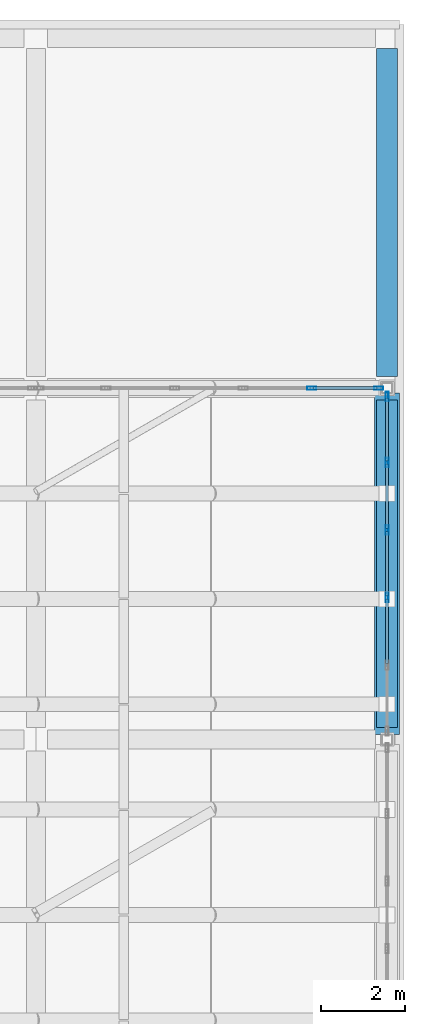
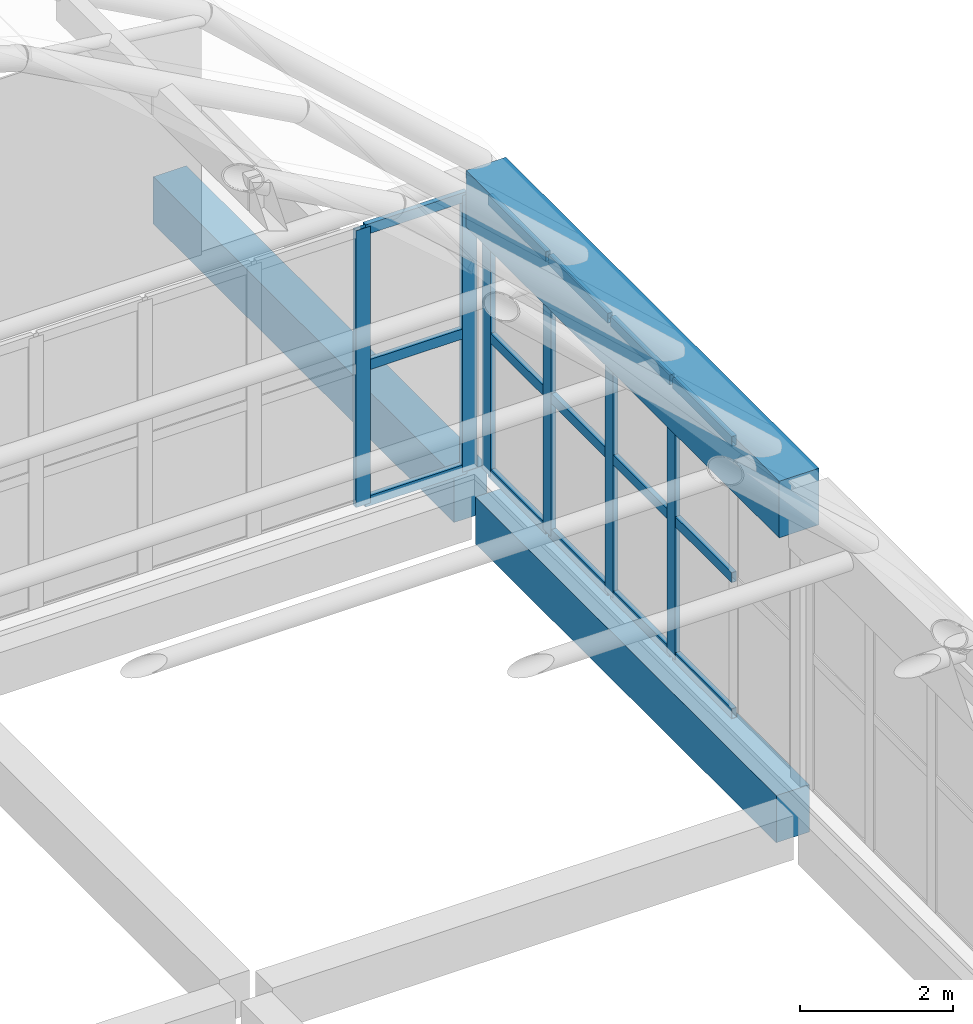
# One storey, part 21 of 26: 21 members, 3 beams, 2 elements without a shape of their own.
"""IFC4 building model written with IfcOpenShell, lengths in metres."""

from ifc_helpers import new_model, si_unit, direction, frame, origin, origin_2d, place, context, subcontext, project, spatial, rectangle, hollow_rectangle, extrude, material, layer, layer_set, material_profile, profile_set, type_object, element, aggregate, save


model = new_model("IFC4")

# Units and contexts
model_context = context("Model", 3, precision=1e-05, world=origin(), true_north=direction((0.0, 1.0)))
body_context = subcontext(model_context, "Body", "Model", "MODEL_VIEW")
ifc_project = project(units=[si_unit("LENGTHUNIT", "METRE"), si_unit("AREAUNIT", "SQUARE_METRE"), si_unit("VOLUMEUNIT", "CUBIC_METRE"), si_unit("PLANEANGLEUNIT", "RADIAN"), si_unit("MASSUNIT", "GRAM", prefix="KILO")], contexts=[model_context])

# Site, building, storey
site_placement = place(None, origin())
site = spatial("IfcSite", under=ifc_project, at=site_placement, CompositionType="ELEMENT")
building_placement = place(site_placement, origin())
building = spatial("IfcBuilding", under=site, at=building_placement, Name="Xazarin Passage Department Store", CompositionType="ELEMENT")
storey_placement = place(building_placement, frame((0.0, 0.0, 36.89990234375)))
storey = spatial("IfcBuildingStorey", under=building, at=storey_placement, Name="RF", CompositionType="ELEMENT", Elevation=36.89990234375)

# Curtain wall, members
ifc_material_1 = material(Name="Bronze anodised aluminium", Category="aluminium")
ifc_layer = layer(ifc_material_1, 0.199951171875)
ifc_layer_set = layer_set([ifc_layer], Name="Bronze anodised aluminium")
curtain_wall_type = type_object("IfcCurtainWallType", Name="ARC-CW-VIT2", PredefinedType="NOTDEFINED", material=ifc_layer_set)
curtain_wall_1_placement = place(storey_placement, origin())
curtain_wall_1 = element("IfcCurtainWall", 1, at=curtain_wall_1_placement, inside=storey, type_object=curtain_wall_type, Name="RF V1 Atrium Lantern Curtain Wall 06", PredefinedType="NOTDEFINED")
ifc_material_profile_1 = material_profile(ifc_material_1, hollow_rectangle(XDim=0.074951171875, YDim=0.219970703125, WallThickness=0.0048828125, at=origin_2d()), Name="ALU 75x220")
ifc_profile_set_1 = profile_set([ifc_material_profile_1], Name="Bronze anodised aluminium")
member_type_1 = type_object("IfcMemberType", Name="ARC-CWM-75x220", PredefinedType="MULLION", material=ifc_profile_set_1)
member_1_placement = place(storey_placement, frame((33.60009765625, 96.592041015625, 0.0), z_axis=(0.0, 0.0, 1.0), x_axis=(-1.0, 0.0, 0.0)))
member_1 = element("IfcMember", 2, at=member_1_placement, type_object=member_type_1, Name="CW2 mullion 3", PredefinedType="MULLION", context=body_context, shape_type="SweptSolid", body=[
    extrude(hollow_rectangle(XDim=0.074951171875, YDim=0.219970703125, WallThickness=0.0048828125, at=origin_2d()), origin(), (0.0, 0.0, 1.0), 4.404296875),
])
member_2_placement = place(storey_placement, frame((33.60009765625, 98.2080078125, 0.0), z_axis=(0.0, 0.0, 1.0), x_axis=(-1.0, 0.0, 0.0)))
member_2 = element("IfcMember", 3, at=member_2_placement, type_object=member_type_1, Name="CW2 mullion 4", PredefinedType="MULLION", context=body_context, shape_type="SweptSolid", body=[
    extrude(hollow_rectangle(XDim=0.074951171875, YDim=0.219970703125, WallThickness=0.0048828125, at=origin_2d()), origin(), (0.0, 0.0, 1.0), 4.404296875),
])
member_3_placement = place(storey_placement, frame((33.60009765625, 99.823974609375, 0.0), z_axis=(0.0, 0.0, 1.0), x_axis=(-1.0, 0.0, 0.0)))
member_3 = element("IfcMember", 4, at=member_3_placement, type_object=member_type_1, Name="CW2 mullion 5", PredefinedType="MULLION", context=body_context, shape_type="SweptSolid", body=[
    extrude(hollow_rectangle(XDim=0.074951171875, YDim=0.219970703125, WallThickness=0.0048828125, at=origin_2d()), origin(), (0.0, 0.0, 1.0), 4.404296875),
])
member_4_placement = place(storey_placement, frame((33.60009765625, 101.402587890625, 0.0), z_axis=(0.0, 0.0, 1.0), x_axis=(-1.0, 0.0, 0.0)))
member_4 = element("IfcMember", 5, at=member_4_placement, type_object=member_type_1, Name="CW2 mullion 6", PredefinedType="MULLION", context=body_context, shape_type="SweptSolid", body=[
    extrude(hollow_rectangle(XDim=0.074951171875, YDim=0.219970703125, WallThickness=0.0048828125, at=origin_2d()), origin(), (0.0, 0.0, 1.0), 4.404296875),
])

curtain_wall_2_placement = place(storey_placement, origin())
curtain_wall_2 = element("IfcCurtainWall", 6, at=curtain_wall_2_placement, inside=storey, type_object=curtain_wall_type, Name="RF V1 Atrium Lantern Curtain Wall 14", PredefinedType="NOTDEFINED")
member_5_placement = place(storey_placement, frame((31.800048828125, 101.60009765625, 0.0), z_axis=(0.0, 0.0, 1.0), x_axis=(0.0, 1.0, 0.0)))
member_5 = element("IfcMember", 7, at=member_5_placement, type_object=member_type_1, Name="CW2 mullion 5", PredefinedType="MULLION", context=body_context, shape_type="SweptSolid", body=[
    extrude(hollow_rectangle(XDim=0.074951171875, YDim=0.219970703125, WallThickness=0.0048828125, at=origin_2d()), origin(), (0.0, 0.0, 1.0), 4.404296875),
])
member_6_placement = place(storey_placement, frame((33.402587890625, 101.60009765625, 0.0), z_axis=(0.0, 0.0, 1.0), x_axis=(0.0, 1.0, 0.0)))
member_6 = element("IfcMember", 8, at=member_6_placement, type_object=member_type_1, Name="CW2 mullion 6", PredefinedType="MULLION", context=body_context, shape_type="SweptSolid", body=[
    extrude(hollow_rectangle(XDim=0.074951171875, YDim=0.219970703125, WallThickness=0.0048828125, at=origin_2d()), origin(), (0.0, 0.0, 1.0), 4.404296875),
])

# Member
ifc_material_profile_2 = material_profile(ifc_material_1, hollow_rectangle(XDim=0.074951171875, YDim=0.159912109375, WallThickness=0.00439453125, at=origin_2d()), Name="ALU 75x160")
ifc_profile_set_2 = profile_set([ifc_material_profile_2], Name="Bronze anodised aluminium")
member_type_2 = type_object("IfcMemberType", Name="ARC-CWT-75x160", PredefinedType="USERDEFINED", material=ifc_profile_set_2)
member_7_placement = place(storey_placement, frame((33.60009765625, 95.013427734375, 0.03759765625), z_axis=(0.0, 1.0, 0.0), x_axis=(-1.0, 0.0, 0.0)))
member_7 = element("IfcMember", 9, at=member_7_placement, type_object=member_type_2, Name="CW2 transom 2.1", ObjectType="TRANSOM", PredefinedType="USERDEFINED", context=body_context, shape_type="SweptSolid", body=[
    extrude(hollow_rectangle(XDim=0.074951171875, YDim=0.159912109375, WallThickness=0.00439453125, at=origin_2d()), origin(), (0.0, 0.0, 1.0), 1.541015625),
])

member_8_placement = place(storey_placement, frame((33.60009765625, 95.013427734375, 2.2021484375), z_axis=(0.0, 1.0, 0.0), x_axis=(-1.0, 0.0, 0.0)))
member_8 = element("IfcMember", 10, at=member_8_placement, type_object=member_type_2, Name="CW2 transom 2.2", ObjectType="TRANSOM", PredefinedType="USERDEFINED", context=body_context, shape_type="SweptSolid", body=[
    extrude(hollow_rectangle(XDim=0.074951171875, YDim=0.159912109375, WallThickness=0.00439453125, at=origin_2d()), origin(), (0.0, 0.0, 1.0), 1.541015625),
])

member_9_placement = place(storey_placement, frame((33.60009765625, 95.013427734375, 4.36669921875), z_axis=(0.0, 1.0, 0.0), x_axis=(-1.0, 0.0, 0.0)))
member_9 = element("IfcMember", 11, at=member_9_placement, type_object=member_type_2, Name="CW2 transom 2.3", ObjectType="TRANSOM", PredefinedType="USERDEFINED", context=body_context, shape_type="SweptSolid", body=[
    extrude(hollow_rectangle(XDim=0.074951171875, YDim=0.159912109375, WallThickness=0.00439453125, at=origin_2d()), origin(), (0.0, 0.0, 1.0), 1.541015625),
])

member_10_placement = place(storey_placement, frame((33.60009765625, 96.62939453125, 0.03759765625), z_axis=(0.0, 1.0, 0.0), x_axis=(-1.0, 0.0, 0.0)))
member_10 = element("IfcMember", 12, at=member_10_placement, type_object=member_type_2, Name="CW2 transom 3.1", ObjectType="TRANSOM", PredefinedType="USERDEFINED", context=body_context, shape_type="SweptSolid", body=[
    extrude(hollow_rectangle(XDim=0.074951171875, YDim=0.159912109375, WallThickness=0.00439453125, at=origin_2d()), origin(), (0.0, 0.0, 1.0), 1.541015625),
])

member_11_placement = place(storey_placement, frame((33.60009765625, 96.62939453125, 2.2021484375), z_axis=(0.0, 1.0, 0.0), x_axis=(-1.0, 0.0, 0.0)))
member_11 = element("IfcMember", 13, at=member_11_placement, type_object=member_type_2, Name="CW2 transom 3.2", ObjectType="TRANSOM", PredefinedType="USERDEFINED", context=body_context, shape_type="SweptSolid", body=[
    extrude(hollow_rectangle(XDim=0.074951171875, YDim=0.159912109375, WallThickness=0.00439453125, at=origin_2d()), origin(), (0.0, 0.0, 1.0), 1.541015625),
])

member_12_placement = place(storey_placement, frame((33.60009765625, 96.62939453125, 4.36669921875), z_axis=(0.0, 1.0, 0.0), x_axis=(-1.0, 0.0, 0.0)))
member_12 = element("IfcMember", 14, at=member_12_placement, type_object=member_type_2, Name="CW2 transom 3.3", ObjectType="TRANSOM", PredefinedType="USERDEFINED", context=body_context, shape_type="SweptSolid", body=[
    extrude(hollow_rectangle(XDim=0.074951171875, YDim=0.159912109375, WallThickness=0.00439453125, at=origin_2d()), origin(), (0.0, 0.0, 1.0), 1.541015625),
])

member_13_placement = place(storey_placement, frame((33.60009765625, 98.24560546875, 0.03759765625), z_axis=(0.0, 1.0, 0.0), x_axis=(-1.0, 0.0, 0.0)))
member_13 = element("IfcMember", 15, at=member_13_placement, type_object=member_type_2, Name="CW2 transom 4.1", ObjectType="TRANSOM", PredefinedType="USERDEFINED", context=body_context, shape_type="SweptSolid", body=[
    extrude(hollow_rectangle(XDim=0.074951171875, YDim=0.159912109375, WallThickness=0.00439453125, at=origin_2d()), origin(), (0.0, 0.0, 1.0), 1.541015625),
])

member_14_placement = place(storey_placement, frame((33.60009765625, 98.24560546875, 2.2021484375), z_axis=(0.0, 1.0, 0.0), x_axis=(-1.0, 0.0, 0.0)))
member_14 = element("IfcMember", 16, at=member_14_placement, type_object=member_type_2, Name="CW2 transom 4.2", ObjectType="TRANSOM", PredefinedType="USERDEFINED", context=body_context, shape_type="SweptSolid", body=[
    extrude(hollow_rectangle(XDim=0.074951171875, YDim=0.159912109375, WallThickness=0.00439453125, at=origin_2d()), origin(), (0.0, 0.0, 1.0), 1.541015625),
])

member_15_placement = place(storey_placement, frame((33.60009765625, 98.24560546875, 4.36669921875), z_axis=(0.0, 1.0, 0.0), x_axis=(-1.0, 0.0, 0.0)))
member_15 = element("IfcMember", 17, at=member_15_placement, type_object=member_type_2, Name="CW2 transom 4.3", ObjectType="TRANSOM", PredefinedType="USERDEFINED", context=body_context, shape_type="SweptSolid", body=[
    extrude(hollow_rectangle(XDim=0.074951171875, YDim=0.159912109375, WallThickness=0.00439453125, at=origin_2d()), origin(), (0.0, 0.0, 1.0), 1.541015625),
])

member_16_placement = place(storey_placement, frame((33.60009765625, 99.861572265625, 0.03759765625), z_axis=(0.0, 1.0, 0.0), x_axis=(-1.0, 0.0, 0.0)))
member_16 = element("IfcMember", 18, at=member_16_placement, type_object=member_type_2, Name="CW2 transom 5.1", ObjectType="TRANSOM", PredefinedType="USERDEFINED", context=body_context, shape_type="SweptSolid", body=[
    extrude(hollow_rectangle(XDim=0.074951171875, YDim=0.159912109375, WallThickness=0.00439453125, at=origin_2d()), origin(), (0.0, 0.0, 1.0), 1.50341796875),
])

member_17_placement = place(storey_placement, frame((33.60009765625, 99.861572265625, 2.2021484375), z_axis=(0.0, 1.0, 0.0), x_axis=(-1.0, 0.0, 0.0)))
member_17 = element("IfcMember", 19, at=member_17_placement, type_object=member_type_2, Name="CW2 transom 5.2", ObjectType="TRANSOM", PredefinedType="USERDEFINED", context=body_context, shape_type="SweptSolid", body=[
    extrude(hollow_rectangle(XDim=0.074951171875, YDim=0.159912109375, WallThickness=0.00439453125, at=origin_2d()), origin(), (0.0, 0.0, 1.0), 1.50341796875),
])

member_18_placement = place(storey_placement, frame((33.60009765625, 99.861572265625, 4.36669921875), z_axis=(0.0, 1.0, 0.0), x_axis=(-1.0, 0.0, 0.0)))
member_18 = element("IfcMember", 20, at=member_18_placement, type_object=member_type_2, Name="CW2 transom 5.3", ObjectType="TRANSOM", PredefinedType="USERDEFINED", context=body_context, shape_type="SweptSolid", body=[
    extrude(hollow_rectangle(XDim=0.074951171875, YDim=0.159912109375, WallThickness=0.00439453125, at=origin_2d()), origin(), (0.0, 0.0, 1.0), 1.50341796875),
])

aggregate(curtain_wall_1, [member_1, member_2, member_3, member_4, member_7, member_8, member_9, member_10, member_11, member_12, member_13, member_14, member_15, member_16, member_17, member_18])

member_19_placement = place(storey_placement, frame((31.83740234375, 101.60009765625, 0.03759765625), z_axis=(1.0, 0.0, 0.0), x_axis=(0.0, 1.0, 0.0)))
member_19 = element("IfcMember", 21, at=member_19_placement, type_object=member_type_2, Name="CW2 transom 5.1", ObjectType="TRANSOM", PredefinedType="USERDEFINED", context=body_context, shape_type="SweptSolid", body=[
    extrude(hollow_rectangle(XDim=0.074951171875, YDim=0.159912109375, WallThickness=0.00439453125, at=origin_2d()), origin(), (0.0, 0.0, 1.0), 1.527587890625),
])

member_20_placement = place(storey_placement, frame((31.83740234375, 101.60009765625, 2.2021484375), z_axis=(1.0, 0.0, 0.0), x_axis=(0.0, 1.0, 0.0)))
member_20 = element("IfcMember", 22, at=member_20_placement, type_object=member_type_2, Name="CW2 transom 5.2", ObjectType="TRANSOM", PredefinedType="USERDEFINED", context=body_context, shape_type="SweptSolid", body=[
    extrude(hollow_rectangle(XDim=0.074951171875, YDim=0.159912109375, WallThickness=0.00439453125, at=origin_2d()), origin(), (0.0, 0.0, 1.0), 1.527587890625),
])

member_21_placement = place(storey_placement, frame((31.83740234375, 101.60009765625, 4.36669921875), z_axis=(1.0, 0.0, 0.0), x_axis=(0.0, 1.0, 0.0)))
member_21 = element("IfcMember", 23, at=member_21_placement, type_object=member_type_2, Name="CW2 transom 5.3", ObjectType="TRANSOM", PredefinedType="USERDEFINED", context=body_context, shape_type="SweptSolid", body=[
    extrude(hollow_rectangle(XDim=0.074951171875, YDim=0.159912109375, WallThickness=0.00439453125, at=origin_2d()), origin(), (0.0, 0.0, 1.0), 1.527587890625),
])

aggregate(curtain_wall_2, [member_5, member_6, member_19, member_20, member_21])

# Beams
ifc_material_2 = material(Name="Concrete C40/50", Category="concrete")
ifc_material_profile_3 = material_profile(ifc_material_2, rectangle(XDim=0.60009765625, YDim=0.89990234375, at=origin_2d()), Name="RC 600x900")
ifc_profile_set_3 = profile_set([ifc_material_profile_3], Name="Concrete C40/50")
beam_type_1 = type_object("IfcBeamType", Name="STR-BM-RG600x900", PredefinedType="BEAM", material=ifc_profile_set_3)
beam_placement = place(storey_placement, frame((33.60009765625, 93.320068359375, 4.404296875), z_axis=(0.0, 1.0, 0.0), x_axis=(-1.0, 0.0, 0.0)))
element("IfcBeam", 24, at=beam_placement, inside=storey, type_object=beam_type_1, Name="V1V Springing Ring Girder E-3", PredefinedType="BEAM", context=body_context, shape_type="SweptSolid", body=[
    extrude(rectangle(XDim=0.60009765625, YDim=0.89990234375, at=origin_2d()), origin(), (0.0, 0.0, 1.0), 8.159912109375),
])
ifc_material_3 = material(Name="Concrete C35/45", Category="concrete")
ifc_material_profile_4 = material_profile(ifc_material_3, rectangle(XDim=0.5, YDim=0.75, at=origin_2d()), Name="RC 500x750")
ifc_profile_set_4 = profile_set([ifc_material_profile_4], Name="Concrete C35/45")
beam_type_2 = type_object("IfcBeamType", Name="STR-BM-SP500x750", PredefinedType="SPANDREL", material=ifc_profile_set_4)
for number, where, z_axis, x_axis, name in (
    (25, (33.60009765625, 93.47998046875, -0.635009765625), (0.0, 1.0, 0.0), (-1.0, 0.0, 0.0), "RF Grid Beam 5/N-P"),
    (26, (33.60009765625, 101.8798828125, -0.635009765625), (0.0, 1.0, 0.0), (-1.0, 0.0, 0.0), "RF Grid Beam 5/P-Q"),
):
    element("IfcBeam", number, at=place(storey_placement, frame(where, z_axis=z_axis, x_axis=x_axis)), inside=storey, type_object=beam_type_2, Name=name, PredefinedType="SPANDREL", context=body_context, shape_type="SweptSolid", body=[
        extrude(rectangle(XDim=0.5, YDim=0.75, at=origin_2d()), origin(), (0.0, 0.0, 1.0), 7.840087890625),
    ])

save(model, "model.ifc")
